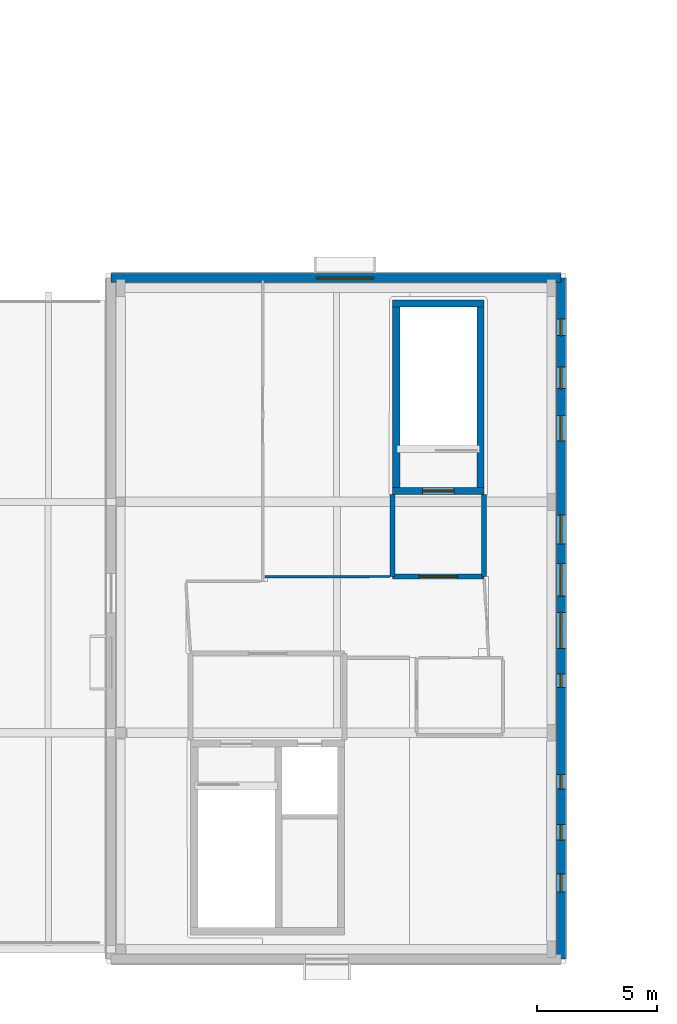
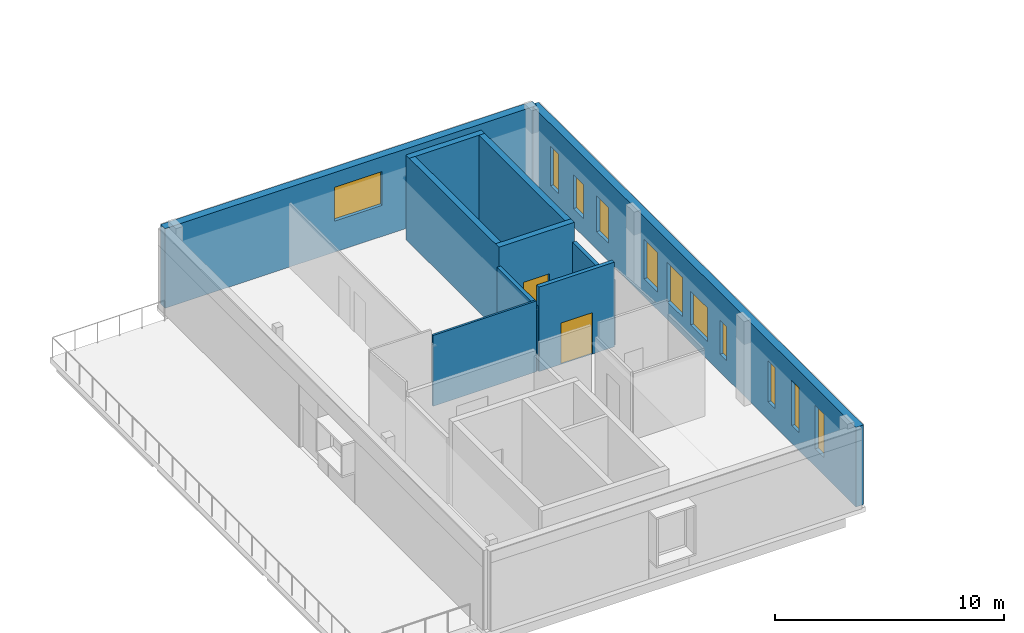
# One storey, part 23 of 41: 11 windows, 10 walls, 2 doors, 13 openings.
"""IFC4 building model written with IfcOpenShell, lengths in metres."""

from ifc_helpers import new_model, si_unit, direction, frame, frame_2d, origin, place, context, subcontext, project, spatial, rectangle, extrude, material, layer, layer_set, type_object, element, fill, save


model = new_model("IFC4")

# Units and contexts
model_context = context("Model", 3, precision=1e-05, world=origin(), true_north=direction((0.0, 1.0)))
body_context = subcontext(model_context, "Body", "Model", "MODEL_VIEW")
ifc_project = project(units=[si_unit("LENGTHUNIT", "METRE"), si_unit("AREAUNIT", "SQUARE_METRE"), si_unit("VOLUMEUNIT", "CUBIC_METRE"), si_unit("PLANEANGLEUNIT", "RADIAN"), si_unit("MASSUNIT", "GRAM", prefix="KILO")], contexts=[model_context])

# Site, building, storey
site_placement = place(None, origin())
site = spatial("IfcSite", under=ifc_project, at=site_placement, CompositionType="ELEMENT")
building_placement = place(site_placement, origin())
building = spatial("IfcBuilding", under=site, at=building_placement, Name="Mzevani Central Library", CompositionType="ELEMENT")
storey_placement = place(building_placement, frame((0.0, 0.0, 13.800048828125)))
storey = spatial("IfcBuildingStorey", under=building, at=storey_placement, Name="L03", CompositionType="ELEMENT", Elevation=13.800048828125)

# Wall
ifc_material_1 = material(Name="Concrete C35/45", Category="concrete")
ifc_layer_1 = layer(ifc_material_1, 0.199951171875, Name="Compartment Wall 200")
ifc_layer_set_1 = layer_set([ifc_layer_1], Name="Concrete C35/45")
wall_type_1 = type_object("IfcWallType", Name="Compartment Wall 200", PredefinedType="STANDARD", material=ifc_layer_set_1)
wall_1_placement = place(storey_placement, frame((47.10009765625, 33.10009765625, 0.0), z_axis=(0.0, 0.0, 1.0), x_axis=(0.0, -1.0, 0.0)))
element("IfcWall", 1, at=wall_1_placement, inside=storey, type_object=wall_type_1, Name="L03 Stair Vestibule C4B Enclosure Wall 1", PredefinedType="STANDARD", context=body_context, shape_type="SweptSolid", body=[
    extrude(rectangle(XDim=3.400146484375, YDim=0.199951171875, at=frame_2d((1.7001953125, 0.0))), origin(), (0.0, 0.0, 1.0), 3.469970703125),
])

# Wall, opening, door
wall_2_placement = place(storey_placement, frame((47.10009765625, 29.699951171875, 0.0), z_axis=(0.0, 0.0, 1.0), x_axis=(1.0, 0.0, 0.0)))
wall_2 = element("IfcWall", 2, at=wall_2_placement, inside=storey, type_object=wall_type_1, Name="L03 Stair Vestibule C4B Enclosure Wall 2", PredefinedType="STANDARD", context=body_context, shape_type="SweptSolid", body=[
    extrude(rectangle(XDim=3.7998046875, YDim=0.199951171875, at=frame_2d((1.89990234375, 0.0))), origin(), (0.0, 0.0, 1.0), 4.5),
])
opening_1_placement = place(wall_2_placement, frame((1.10009765625, 0.0, 0.0)))
opening_1 = element("IfcOpeningElement", 3, at=opening_1_placement, cuts=wall_2, Name="Opening FD-02", PredefinedType="OPENING", context=body_context, shape_type="SweptSolid", body=[
    extrude(rectangle(XDim=1.60009765625, YDim=2.199951171875, at=frame_2d((0.800048828125, 1.10009765625))), frame((0.0, 0.10986328125, 0.0), z_axis=(0.0, -1.0, 0.0), x_axis=(1.0, 0.0, 0.0)), (0.0, 0.0, 1.0), 0.219970703125),
])
ifc_material_2 = material(Name="Fire-rated steel door assembly", Category="steel")
door_type_1 = type_object("IfcDoorType", Name="Fire Lobby Double Door 1600x2200", OperationType="NOTDEFINED", PredefinedType="DOOR", material=ifc_material_2)
door_1_placement = place(opening_1_placement, origin())
door_1 = element("IfcDoor", 4, at=door_1_placement, inside=storey, type_object=door_type_1, Name="L03 Stair Vestibule C4B Smoke-Control Door", OperationType="DOUBLE_DOOR_SINGLE_SWING", OverallHeight=2.199951171875, OverallWidth=1.60009765625, PredefinedType="DOOR", context=body_context, shape_type="SweptSolid", body=[
    extrude(rectangle(XDim=1.60009765625, YDim=2.199951171875, at=frame_2d((0.800048828125, 1.10009765625))), frame((0.0, 0.02490234375, 0.0), z_axis=(0.0, -1.0, 0.0), x_axis=(1.0, 0.0, 0.0)), (0.0, 0.0, 1.0), 0.050048828125),
])
fill(opening_1, door_1)

# Wall
wall_3_placement = place(storey_placement, frame((50.89990234375, 29.699951171875, 0.0), z_axis=(0.0, 0.0, 1.0), x_axis=(0.0, 1.0, 0.0)))
element("IfcWall", 5, at=wall_3_placement, inside=storey, type_object=wall_type_1, Name="L03 Stair Vestibule C4B Enclosure Wall 3", PredefinedType="STANDARD", context=body_context, shape_type="SweptSolid", body=[
    extrude(rectangle(XDim=3.400146484375, YDim=0.199951171875, at=frame_2d((1.7001953125, 0.0))), origin(), (0.0, 0.0, 1.0), 3.469970703125),
])

# Wall, opening, door
ifc_material_3 = material(Name="Concrete C40/50", Category="concrete")
ifc_layer_2 = layer(ifc_material_3, 0.300048828125, Name="Core Shear Wall 300")
ifc_layer_set_2 = layer_set([ifc_layer_2], Name="Concrete C40/50")
wall_type_2 = type_object("IfcWallType", Name="Core Shear Wall 300", PredefinedType="SHEAR", material=ifc_layer_set_2)
wall_4_placement = place(storey_placement, frame((50.89990234375, 33.25, 0.0), z_axis=(0.0, 0.0, 1.0), x_axis=(-1.0, 0.0, 0.0)))
wall_4 = element("IfcWall", 6, at=wall_4_placement, inside=storey, type_object=wall_type_2, Name="L03 Core C4B Square South Escape Stair Shear Wall (-y)", PredefinedType="SHEAR", context=body_context, shape_type="SweptSolid", body=[
    extrude(rectangle(XDim=3.7998046875, YDim=0.300048828125, at=frame_2d((1.89990234375, 0.0))), origin(), (0.0, 0.0, 1.0), 4.5),
])
opening_2_placement = place(wall_4_placement, frame((1.25, 0.0, 0.0)))
opening_2 = element("IfcOpeningElement", 7, at=opening_2_placement, cuts=wall_4, Name="Opening FD-01", PredefinedType="OPENING", context=body_context, shape_type="SweptSolid", body=[
    extrude(rectangle(XDim=1.300048828125, YDim=2.199951171875, at=frame_2d((0.64990234375, 1.10009765625))), frame((0.0, 0.16015625, 0.0), z_axis=(0.0, -1.0, 0.0), x_axis=(1.0, 0.0, 0.0)), (0.0, 0.0, 1.0), 0.320068359375),
])
door_type_2 = type_object("IfcDoorType", Name="Fire Stair Door 1300x2200", OperationType="NOTDEFINED", PredefinedType="DOOR", material=ifc_material_2)
door_2_placement = place(opening_2_placement, origin())
door_2 = element("IfcDoor", 8, at=door_2_placement, inside=storey, type_object=door_type_2, Name="L03 ST-08 Protected Exit Stair Door", OperationType="SINGLE_SWING_LEFT", OverallHeight=2.199951171875, OverallWidth=1.300048828125, PredefinedType="DOOR", context=body_context, shape_type="SweptSolid", body=[
    extrude(rectangle(XDim=1.300048828125, YDim=2.199951171875, at=frame_2d((0.64990234375, 1.10009765625))), frame((0.0, 0.02490234375, 0.0), z_axis=(0.0, -1.0, 0.0), x_axis=(1.0, 0.0, 0.0)), (0.0, 0.0, 1.0), 0.050048828125),
])
fill(opening_2, door_2)

# Walls
wall_5_placement = place(storey_placement, frame((47.25, 33.10009765625, 0.0), z_axis=(0.0, 0.0, 1.0), x_axis=(0.0, 1.0, 0.0)))
element("IfcWall", 9, at=wall_5_placement, inside=storey, type_object=wall_type_2, Name="L03 Core C4B Square South Escape Stair Shear Wall (-x)", PredefinedType="SHEAR", context=body_context, shape_type="SweptSolid", body=[
    extrude(rectangle(XDim=8.099853515625, YDim=0.300048828125, at=frame_2d((4.0498046875, 0.0))), origin(), (0.0, 0.0, 1.0), 4.5),
])
wall_6_placement = place(storey_placement, frame((47.10009765625, 41.050048828125, 0.0), z_axis=(0.0, 0.0, 1.0), x_axis=(1.0, 0.0, 0.0)))
element("IfcWall", 10, at=wall_6_placement, inside=storey, type_object=wall_type_2, Name="L03 Core C4B Square South Escape Stair Shear Wall (+y)", PredefinedType="SHEAR", context=body_context, shape_type="SweptSolid", body=[
    extrude(rectangle(XDim=3.7998046875, YDim=0.300048828125, at=frame_2d((1.89990234375, 0.0))), origin(), (0.0, 0.0, 1.0), 4.5),
])
wall_7_placement = place(storey_placement, frame((50.75, 41.199951171875, 0.0), z_axis=(0.0, 0.0, 1.0), x_axis=(0.0, -1.0, 0.0)))
element("IfcWall", 11, at=wall_7_placement, inside=storey, type_object=wall_type_2, Name="L03 Core C4B Square South Escape Stair Shear Wall (+x)", PredefinedType="SHEAR", context=body_context, shape_type="SweptSolid", body=[
    extrude(rectangle(XDim=8.099853515625, YDim=0.300048828125, at=frame_2d((4.0498046875, 0.0))), origin(), (0.0, 0.0, 1.0), 4.5),
])

# Wall, opening, window
ifc_material_4 = material(Name="Precast concrete C40/50", Category="concrete")
ifc_layer_3 = layer(ifc_material_4, 0.3798828125, Name="Exterior Thermal Concrete Wall 380")
ifc_layer_set_3 = layer_set([ifc_layer_3], Name="Precast concrete C40/50")
wall_type_3 = type_object("IfcWallType", Name="Exterior Thermal Concrete Wall 380", PredefinedType="STANDARD", material=ifc_layer_set_3)
wall_8_placement = place(storey_placement, frame((35.389892578125, 42.110107421875, 0.0), z_axis=(0.0, 0.0, 1.0), x_axis=(1.0, 0.0, 0.0)))
wall_8 = element("IfcWall", 12, at=wall_8_placement, inside=storey, type_object=wall_type_3, Name="L03 V4 Exterior Thermal Wall (86)", PredefinedType="STANDARD", context=body_context, shape_type="SweptSolid", body=[
    extrude(rectangle(XDim=18.72021484375, YDim=0.3798828125, at=frame_2d((9.360107421875, 0.0))), origin(), (0.0, 0.0, 1.0), 4.239990234375),
])
opening_3_placement = place(wall_8_placement, frame((8.534423828125, 0.0, 1.64990234375)))
opening_3 = element("IfcOpeningElement", 13, at=opening_3_placement, cuts=wall_8, Name="Opening W-17", PredefinedType="OPENING", context=body_context, shape_type="SweptSolid", body=[
    extrude(rectangle(XDim=2.39990234375, YDim=1.800048828125, at=frame_2d((1.199951171875, 0.89990234375))), frame((0.0, 0.199951171875, 0.0), z_axis=(0.0, -1.0, 0.0), x_axis=(1.0, 0.0, 0.0)), (0.0, 0.0, 1.0), 0.39990234375),
])
ifc_material_5 = material(Name="Low-E triple glazing glass", Category="glass")
window_type_1 = type_object("IfcWindowType", Name="Reading Clerestory Window 2400x1800", PartitioningType="SINGLE_PANEL", PredefinedType="WINDOW", material=ifc_material_5)
window_1_placement = place(opening_3_placement, origin())
window_1 = element("IfcWindow", 14, at=window_1_placement, inside=storey, type_object=window_type_1, Name="L03 V4 Deep-Reveal Window W-17 (177)", OverallHeight=1.800048828125, OverallWidth=2.39990234375, PartitioningType="SINGLE_PANEL", PredefinedType="WINDOW", context=body_context, shape_type="SweptSolid", body=[
    extrude(rectangle(XDim=2.39990234375, YDim=1.800048828125, at=frame_2d((1.199951171875, 0.89990234375))), frame((0.0, 0.030029296875, 0.0), z_axis=(0.0, -1.0, 0.0), x_axis=(1.0, 0.0, 0.0)), (0.0, 0.0, 1.0), 0.06005859375),
])
fill(opening_3, window_1)

# Wall, openings, windows
wall_9_placement = place(storey_placement, frame((54.110107421875, 42.110107421875, 0.0), z_axis=(0.0, 0.0, 1.0), x_axis=(0.0, -1.0, 0.0)))
wall_9 = element("IfcWall", 15, at=wall_9_placement, inside=storey, type_object=wall_type_3, Name="L03 V4 Exterior Thermal Wall (87)", PredefinedType="STANDARD", context=body_context, shape_type="SweptSolid", body=[
    extrude(rectangle(XDim=28.320068359375, YDim=0.3798828125, at=frame_2d((14.16015625, 0.0))), origin(), (0.0, 0.0, 1.0), 4.239990234375),
])
opening_4_placement = place(wall_9_placement, frame((1.699951171875, 0.0, 0.949951171875)))
opening_4 = element("IfcOpeningElement", 16, at=opening_4_placement, cuts=wall_9, Name="Opening WS-07", PredefinedType="OPENING", context=body_context, shape_type="SweptSolid", body=[
    extrude(rectangle(XDim=0.699951171875, YDim=2.10009765625, at=frame_2d((0.35009765625, 1.050048828125))), frame((0.0, 0.199951171875, 0.0), z_axis=(0.0, -1.0, 0.0), x_axis=(1.0, 0.0, 0.0)), (0.0, 0.0, 1.0), 0.39990234375),
])
opening_5_placement = place(wall_9_placement, frame((3.699951171875, 0.0, 0.949951171875)))
opening_5 = element("IfcOpeningElement", 17, at=opening_5_placement, cuts=wall_9, Name="Opening W-01", PredefinedType="OPENING", context=body_context, shape_type="SweptSolid", body=[
    extrude(rectangle(XDim=0.89990234375, YDim=1.800048828125, at=frame_2d((0.449951171875, 0.89990234375))), frame((0.0, 0.199951171875, 0.0), z_axis=(0.0, -1.0, 0.0), x_axis=(1.0, 0.0, 0.0)), (0.0, 0.0, 1.0), 0.39990234375),
])
opening_6_placement = place(wall_9_placement, frame((5.72509765625, 0.0, 0.949951171875)))
opening_6 = element("IfcOpeningElement", 18, at=opening_6_placement, cuts=wall_9, Name="Opening W-03", PredefinedType="OPENING", context=body_context, shape_type="SweptSolid", body=[
    extrude(rectangle(XDim=1.050048828125, YDim=1.89990234375, at=frame_2d((0.52490234375, 0.949951171875))), frame((0.0, 0.199951171875, 0.0), z_axis=(0.0, -1.0, 0.0), x_axis=(1.0, 0.0, 0.0)), (0.0, 0.0, 1.0), 0.39990234375),
])
opening_7_placement = place(wall_9_placement, frame((9.85009765625, 0.0, 0.949951171875)))
opening_7 = element("IfcOpeningElement", 19, at=opening_7_placement, cuts=wall_9, Name="Opening W-06", PredefinedType="OPENING", context=body_context, shape_type="SweptSolid", body=[
    extrude(rectangle(XDim=1.199951171875, YDim=2.10009765625, at=frame_2d((0.60009765625, 1.050048828125))), frame((0.0, 0.199951171875, 0.0), z_axis=(0.0, -1.0, 0.0), x_axis=(1.0, 0.0, 0.0)), (0.0, 0.0, 1.0), 0.39990234375),
])
opening_8_placement = place(wall_9_placement, frame((11.875, 0.0, 0.949951171875)))
opening_8 = element("IfcOpeningElement", 20, at=opening_8_placement, cuts=wall_9, Name="Opening W-08", PredefinedType="OPENING", context=body_context, shape_type="SweptSolid", body=[
    extrude(rectangle(XDim=1.35009765625, YDim=2.10009765625, at=frame_2d((0.675048828125, 1.050048828125))), frame((0.0, 0.199951171875, 0.0), z_axis=(0.0, -1.0, 0.0), x_axis=(1.0, 0.0, 0.0)), (0.0, 0.0, 1.0), 0.39990234375),
])
opening_9_placement = place(wall_9_placement, frame((13.89990234375, 0.0, 0.949951171875)))
opening_9 = element("IfcOpeningElement", 21, at=opening_9_placement, cuts=wall_9, Name="Opening W-10", PredefinedType="OPENING", context=body_context, shape_type="SweptSolid", body=[
    extrude(rectangle(XDim=1.5, YDim=1.800048828125, at=frame_2d((0.75, 0.89990234375))), frame((0.0, 0.199951171875, 0.0), z_axis=(0.0, -1.0, 0.0), x_axis=(1.0, 0.0, 0.0)), (0.0, 0.0, 1.0), 0.39990234375),
])
opening_10_placement = place(wall_9_placement, frame((16.47509765625, 0.0, 0.949951171875)))
opening_10 = element("IfcOpeningElement", 22, at=opening_10_placement, cuts=wall_9, Name="Opening WS-01", PredefinedType="OPENING", context=body_context, shape_type="SweptSolid", body=[
    extrude(rectangle(XDim=0.550048828125, YDim=1.800048828125, at=frame_2d((0.27490234375, 0.89990234375))), frame((0.0, 0.199951171875, 0.0), z_axis=(0.0, -1.0, 0.0), x_axis=(1.0, 0.0, 0.0)), (0.0, 0.0, 1.0), 0.39990234375),
])
opening_11_placement = place(wall_9_placement, frame((20.64990234375, 0.0, 0.949951171875)))
opening_11 = element("IfcOpeningElement", 23, at=opening_11_placement, cuts=wall_9, Name="Opening WS-04", PredefinedType="OPENING", context=body_context, shape_type="SweptSolid", body=[
    extrude(rectangle(XDim=0.60009765625, YDim=2.199951171875, at=frame_2d((0.300048828125, 1.10009765625))), frame((0.0, 0.199951171875, 0.0), z_axis=(0.0, -1.0, 0.0), x_axis=(1.0, 0.0, 0.0)), (0.0, 0.0, 1.0), 0.39990234375),
])
opening_12_placement = place(wall_9_placement, frame((22.72509765625, 0.0, 0.949951171875)))
opening_12 = element("IfcOpeningElement", 24, at=opening_12_placement, cuts=wall_9, Name="Opening WS-06", PredefinedType="OPENING", context=body_context, shape_type="SweptSolid", body=[
    extrude(rectangle(XDim=0.64990234375, YDim=2.39990234375, at=frame_2d((0.324951171875, 1.199951171875))), frame((0.0, 0.199951171875, 0.0), z_axis=(0.0, -1.0, 0.0), x_axis=(1.0, 0.0, 0.0)), (0.0, 0.0, 1.0), 0.39990234375),
])
opening_13_placement = place(wall_9_placement, frame((24.77490234375, 0.0, 0.949951171875)))
opening_13 = element("IfcOpeningElement", 25, at=opening_13_placement, cuts=wall_9, Name="Opening WS-08", PredefinedType="OPENING", context=body_context, shape_type="SweptSolid", body=[
    extrude(rectangle(XDim=0.75, YDim=2.300048828125, at=frame_2d((0.375, 1.14990234375))), frame((0.0, 0.199951171875, 0.0), z_axis=(0.0, -1.0, 0.0), x_axis=(1.0, 0.0, 0.0)), (0.0, 0.0, 1.0), 0.39990234375),
])
window_type_2 = type_object("IfcWindowType", Name="Archive Slot Window 550x1800", PartitioningType="SINGLE_PANEL", PredefinedType="WINDOW", material=ifc_material_5)
window_2_placement = place(opening_10_placement, origin())
window_2 = element("IfcWindow", 26, at=window_2_placement, inside=storey, type_object=window_type_2, Name="L03 V4 Courtyard/Colonnade Window WS-01 (184)", OverallHeight=1.800048828125, OverallWidth=0.550048828125, PartitioningType="SINGLE_PANEL", PredefinedType="WINDOW", context=body_context, shape_type="SweptSolid", body=[
    extrude(rectangle(XDim=0.550048828125, YDim=1.800048828125, at=frame_2d((0.27490234375, 0.89990234375))), frame((0.0, 0.030029296875, 0.0), z_axis=(0.0, -1.0, 0.0), x_axis=(1.0, 0.0, 0.0)), (0.0, 0.0, 1.0), 0.06005859375),
])
fill(opening_10, window_2)
window_type_3 = type_object("IfcWindowType", Name="Archive Slot Window 600x2200", PartitioningType="SINGLE_PANEL", PredefinedType="WINDOW", material=ifc_material_5)
window_3_placement = place(opening_11_placement, origin())
window_3 = element("IfcWindow", 27, at=window_3_placement, inside=storey, type_object=window_type_3, Name="L03 V4 Courtyard/Colonnade Window WS-04 (185)", OverallHeight=2.199951171875, OverallWidth=0.60009765625, PartitioningType="SINGLE_PANEL", PredefinedType="WINDOW", context=body_context, shape_type="SweptSolid", body=[
    extrude(rectangle(XDim=0.60009765625, YDim=2.199951171875, at=frame_2d((0.300048828125, 1.10009765625))), frame((0.0, 0.030029296875, 0.0), z_axis=(0.0, -1.0, 0.0), x_axis=(1.0, 0.0, 0.0)), (0.0, 0.0, 1.0), 0.06005859375),
])
fill(opening_11, window_3)
window_type_4 = type_object("IfcWindowType", Name="Archive Slot Window 650x2400", PartitioningType="SINGLE_PANEL", PredefinedType="WINDOW", material=ifc_material_5)
window_4_placement = place(opening_12_placement, origin())
window_4 = element("IfcWindow", 28, at=window_4_placement, inside=storey, type_object=window_type_4, Name="L03 V4 Courtyard/Colonnade Window WS-06 (186)", OverallHeight=2.39990234375, OverallWidth=0.64990234375, PartitioningType="SINGLE_PANEL", PredefinedType="WINDOW", context=body_context, shape_type="SweptSolid", body=[
    extrude(rectangle(XDim=0.64990234375, YDim=2.39990234375, at=frame_2d((0.324951171875, 1.199951171875))), frame((0.0, 0.030029296875, 0.0), z_axis=(0.0, -1.0, 0.0), x_axis=(1.0, 0.0, 0.0)), (0.0, 0.0, 1.0), 0.06005859375),
])
fill(opening_12, window_4)
window_type_5 = type_object("IfcWindowType", Name="Archive Slot Window 700x2100", PartitioningType="SINGLE_PANEL", PredefinedType="WINDOW", material=ifc_material_5)
window_5_placement = place(opening_4_placement, origin())
window_5 = element("IfcWindow", 29, at=window_5_placement, inside=storey, type_object=window_type_5, Name="L03 V4 Courtyard/Colonnade Window WS-07 (178)", OverallHeight=2.10009765625, OverallWidth=0.699951171875, PartitioningType="SINGLE_PANEL", PredefinedType="WINDOW", context=body_context, shape_type="SweptSolid", body=[
    extrude(rectangle(XDim=0.699951171875, YDim=2.10009765625, at=frame_2d((0.35009765625, 1.050048828125))), frame((0.0, 0.030029296875, 0.0), z_axis=(0.0, -1.0, 0.0), x_axis=(1.0, 0.0, 0.0)), (0.0, 0.0, 1.0), 0.06005859375),
])
fill(opening_4, window_5)
window_type_6 = type_object("IfcWindowType", Name="Archive Slot Window 750x2300", PartitioningType="SINGLE_PANEL", PredefinedType="WINDOW", material=ifc_material_5)
window_6_placement = place(opening_13_placement, origin())
window_6 = element("IfcWindow", 30, at=window_6_placement, inside=storey, type_object=window_type_6, Name="L03 V4 Courtyard/Colonnade Window WS-08 (187)", OverallHeight=2.300048828125, OverallWidth=0.75, PartitioningType="SINGLE_PANEL", PredefinedType="WINDOW", context=body_context, shape_type="SweptSolid", body=[
    extrude(rectangle(XDim=0.75, YDim=2.300048828125, at=frame_2d((0.375, 1.14990234375))), frame((0.0, 0.030029296875, 0.0), z_axis=(0.0, -1.0, 0.0), x_axis=(1.0, 0.0, 0.0)), (0.0, 0.0, 1.0), 0.06005859375),
])
fill(opening_13, window_6)
window_type_7 = type_object("IfcWindowType", Name="Deep Reveal Window 1050x1900", PartitioningType="SINGLE_PANEL", PredefinedType="WINDOW", material=ifc_material_5)
window_7_placement = place(opening_6_placement, origin())
window_7 = element("IfcWindow", 31, at=window_7_placement, inside=storey, type_object=window_type_7, Name="L03 V4 Courtyard/Colonnade Window W-03 (180)", OverallHeight=1.89990234375, OverallWidth=1.050048828125, PartitioningType="SINGLE_PANEL", PredefinedType="WINDOW", context=body_context, shape_type="SweptSolid", body=[
    extrude(rectangle(XDim=1.050048828125, YDim=1.89990234375, at=frame_2d((0.52490234375, 0.949951171875))), frame((0.0, 0.030029296875, 0.0), z_axis=(0.0, -1.0, 0.0), x_axis=(1.0, 0.0, 0.0)), (0.0, 0.0, 1.0), 0.06005859375),
])
fill(opening_6, window_7)
window_type_8 = type_object("IfcWindowType", Name="Deep Reveal Window 1200x2100", PartitioningType="SINGLE_PANEL", PredefinedType="WINDOW", material=ifc_material_5)
window_8_placement = place(opening_7_placement, origin())
window_8 = element("IfcWindow", 32, at=window_8_placement, inside=storey, type_object=window_type_8, Name="L03 V4 Courtyard/Colonnade Window W-06 (181)", OverallHeight=2.10009765625, OverallWidth=1.199951171875, PartitioningType="SINGLE_PANEL", PredefinedType="WINDOW", context=body_context, shape_type="SweptSolid", body=[
    extrude(rectangle(XDim=1.199951171875, YDim=2.10009765625, at=frame_2d((0.60009765625, 1.050048828125))), frame((0.0, 0.030029296875, 0.0), z_axis=(0.0, -1.0, 0.0), x_axis=(1.0, 0.0, 0.0)), (0.0, 0.0, 1.0), 0.06005859375),
])
fill(opening_7, window_8)
window_type_9 = type_object("IfcWindowType", Name="Deep Reveal Window 1350x2100", PartitioningType="SINGLE_PANEL", PredefinedType="WINDOW", material=ifc_material_5)
window_9_placement = place(opening_8_placement, origin())
window_9 = element("IfcWindow", 33, at=window_9_placement, inside=storey, type_object=window_type_9, Name="L03 V4 Courtyard/Colonnade Window W-08 (182)", OverallHeight=2.10009765625, OverallWidth=1.35009765625, PartitioningType="SINGLE_PANEL", PredefinedType="WINDOW", context=body_context, shape_type="SweptSolid", body=[
    extrude(rectangle(XDim=1.35009765625, YDim=2.10009765625, at=frame_2d((0.675048828125, 1.050048828125))), frame((0.0, 0.030029296875, 0.0), z_axis=(0.0, -1.0, 0.0), x_axis=(1.0, 0.0, 0.0)), (0.0, 0.0, 1.0), 0.06005859375),
])
fill(opening_8, window_9)
window_type_10 = type_object("IfcWindowType", Name="Deep Reveal Window 1500x1800", PartitioningType="SINGLE_PANEL", PredefinedType="WINDOW", material=ifc_material_5)
window_10_placement = place(opening_9_placement, origin())
window_10 = element("IfcWindow", 34, at=window_10_placement, inside=storey, type_object=window_type_10, Name="L03 V4 Courtyard/Colonnade Window W-10 (183)", OverallHeight=1.800048828125, OverallWidth=1.5, PartitioningType="SINGLE_PANEL", PredefinedType="WINDOW", context=body_context, shape_type="SweptSolid", body=[
    extrude(rectangle(XDim=1.5, YDim=1.800048828125, at=frame_2d((0.75, 0.89990234375))), frame((0.0, 0.030029296875, 0.0), z_axis=(0.0, -1.0, 0.0), x_axis=(1.0, 0.0, 0.0)), (0.0, 0.0, 1.0), 0.06005859375),
])
fill(opening_9, window_10)
window_type_11 = type_object("IfcWindowType", Name="Deep Reveal Window 900x1800", PartitioningType="SINGLE_PANEL", PredefinedType="WINDOW", material=ifc_material_5)
window_11_placement = place(opening_5_placement, origin())
window_11 = element("IfcWindow", 35, at=window_11_placement, inside=storey, type_object=window_type_11, Name="L03 V4 Courtyard/Colonnade Window W-01 (179)", OverallHeight=1.800048828125, OverallWidth=0.89990234375, PartitioningType="SINGLE_PANEL", PredefinedType="WINDOW", context=body_context, shape_type="SweptSolid", body=[
    extrude(rectangle(XDim=0.89990234375, YDim=1.800048828125, at=frame_2d((0.449951171875, 0.89990234375))), frame((0.0, 0.030029296875, 0.0), z_axis=(0.0, -1.0, 0.0), x_axis=(1.0, 0.0, 0.0)), (0.0, 0.0, 1.0), 0.06005859375),
])
fill(opening_5, window_11)

# Wall
ifc_material_6 = material(Name="Fire-rated gypsum board", Category="gypsum")
ifc_layer_4 = layer(ifc_material_6, 0.10009765625, Name="Partition Gypsum 100")
ifc_layer_set_4 = layer_set([ifc_layer_4], Name="Fire-rated gypsum board")
wall_type_4 = type_object("IfcWallType", Name="Partition Gypsum 100", PredefinedType="PARTITIONING", material=ifc_layer_set_4)
wall_10_placement = place(storey_placement, frame((47.0, 29.69970703125, 0.0), z_axis=(0.0, 0.0, 1.0), x_axis=(-0.99999313943, -0.003704199279, 0.0)))
element("IfcWall", 36, at=wall_10_placement, inside=storey, type_object=wall_type_4, Name="L03 V4 Partition IW-01 (550)", PredefinedType="PARTITIONING", context=body_context, shape_type="SweptSolid", body=[
    extrude(rectangle(XDim=5.206787109375, YDim=0.10009765625, at=frame_2d((2.603515625, 0.0))), origin(), (0.0, 0.0, 1.0), 3.77001953125),
])

save(model, "model.ifc")
